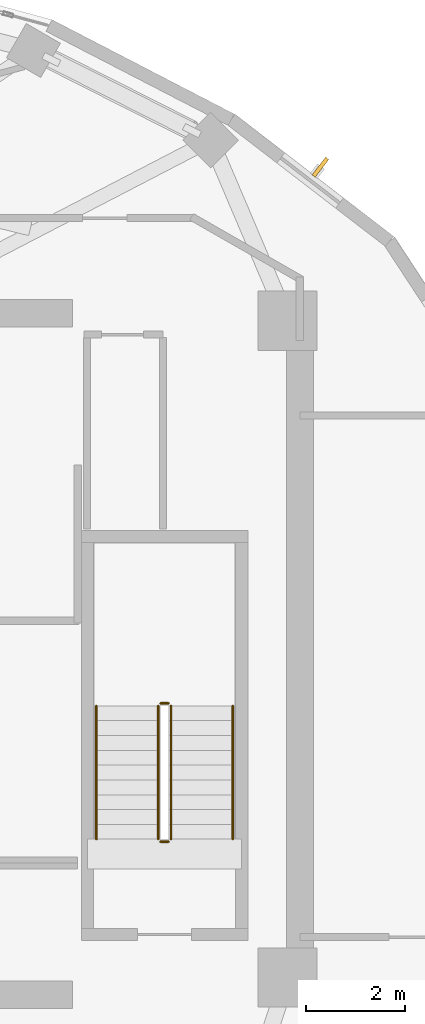
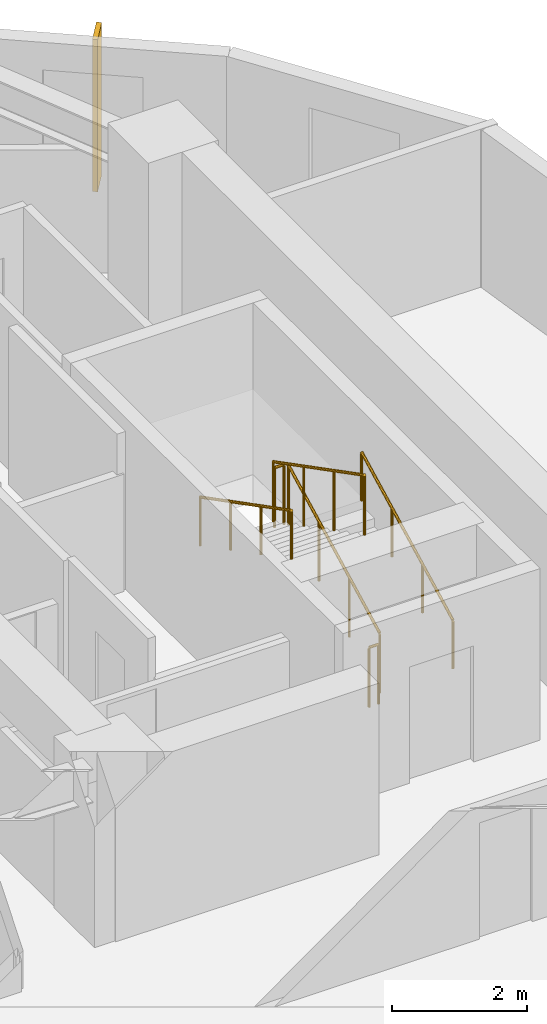
# One storey, part 19 of 19: 6 railings, 1 shading device.
"""IFC4 building model written with IfcOpenShell, lengths in metres."""

from ifc_helpers import new_model, si_unit, direction, frame, origin, origin_2d, place, context, subcontext, project, spatial, rectangle, circle, extrude, material, layer, layer_set, type_object, element, save


model = new_model("IFC4")

# Units and contexts
model_context = context("Model", 3, precision=1e-05, world=origin(), true_north=direction((0.0, 1.0)))
body_context = subcontext(model_context, "Body", "Model", "MODEL_VIEW")
ifc_project = project(units=[si_unit("LENGTHUNIT", "METRE"), si_unit("AREAUNIT", "SQUARE_METRE"), si_unit("VOLUMEUNIT", "CUBIC_METRE"), si_unit("PLANEANGLEUNIT", "RADIAN"), si_unit("MASSUNIT", "GRAM", prefix="KILO")], contexts=[model_context])

# Site, building, storey
site_placement = place(None, origin())
site = spatial("IfcSite", under=ifc_project, at=site_placement, CompositionType="ELEMENT")
building_placement = place(site_placement, origin())
building = spatial("IfcBuilding", under=site, at=building_placement, Name="Solvane Sanctuary Tower", CompositionType="ELEMENT")
storey_placement = place(building_placement, frame((0.0, 0.0, 201.60009765625)))
storey = spatial("IfcBuildingStorey", under=building, at=storey_placement, Name="L61", CompositionType="ELEMENT", Elevation=201.60009765625)

# Railings
ifc_material_1 = material(Name="Architectural Stainless Steel 316", Category="steel")
railing_type_1 = type_object("IfcRailingType", Name="Railing GR-BALC-1150", PredefinedType="BALUSTRADE", material=ifc_material_1)
railing_1_placement = place(storey_placement, frame((46.340087890625, 19.699951171875, 0.15478515625)))
element("IfcRailing", 1, at=railing_1_placement, inside=storey, type_object=railing_type_1, Name="L61 ST-2 stair guard 1", PredefinedType="BALUSTRADE", context=body_context, shape_type="SweptSolid", body=[
    extrude(circle(Radius=0.02392578125, at=origin_2d()), frame((0.0, 0.0, 1.076171875), z_axis=(0.0, 0.888419900624, 0.459031676658), x_axis=(-1.0, 0.0, 0.0)), (0.0, 0.0, 1.0), 3.0390625),
    extrude(circle(Radius=0.02099609375, at=origin_2d()), origin(), (0.0, 0.0, 1.0), 1.052001953125),
    extrude(circle(Radius=0.02099609375, at=origin_2d()), frame((0.0, 0.89990234375, 0.465087890625)), (0.0, 0.0, 1.0), 1.052001953125),
    extrude(circle(Radius=0.02099609375, at=origin_2d()), frame((0.0, 1.800048828125, 0.929931640625)), (0.0, 0.0, 1.0), 1.052001953125),
    extrude(circle(Radius=0.02099609375, at=origin_2d()), frame((0.0, 2.699951171875, 1.39501953125)), (0.0, 0.0, 1.0), 1.052001953125),
])
railing_2_placement = place(storey_placement, frame((46.2900390625, 22.449951171875, 1.5498046875)))
element("IfcRailing", 2, at=railing_2_placement, inside=storey, type_object=railing_type_1, Name="L61 ST-2 stair guard 2", PredefinedType="BALUSTRADE", context=body_context, shape_type="SweptSolid", body=[
    extrude(circle(Radius=0.02392578125, at=origin_2d()), frame((0.0, 0.0, 1.076171875), z_axis=(-1.0, 0.0, 0.0), x_axis=(0.0, -1.0, 0.0)), (0.0, 0.0, 1.0), 0.16015625),
    extrude(circle(Radius=0.02099609375, at=origin_2d()), origin(), (0.0, 0.0, 1.0), 1.052001953125),
    extrude(circle(Radius=0.02099609375, at=origin_2d()), frame((-0.16015625, 0.0, 0.0)), (0.0, 0.0, 1.0), 1.052001953125),
])
railing_3_placement = place(storey_placement, frame((46.080078125, 22.39990234375, 1.704833984375)))
element("IfcRailing", 3, at=railing_3_placement, inside=storey, type_object=railing_type_1, Name="L61 ST-2 stair guard 3", PredefinedType="BALUSTRADE", context=body_context, shape_type="SweptSolid", body=[
    extrude(circle(Radius=0.02392578125, at=origin_2d()), frame((0.0, 0.0, 1.076171875), z_axis=(0.0, -0.888419900624, 0.459031676658), x_axis=(1.0, 0.0, 0.0)), (0.0, 0.0, 1.0), 3.0390625),
    extrude(circle(Radius=0.02099609375, at=origin_2d()), origin(), (0.0, 0.0, 1.0), 1.052001953125),
    extrude(circle(Radius=0.02099609375, at=origin_2d()), frame((0.0, -0.89990234375, 0.465087890625)), (0.0, 0.0, 1.0), 1.052001953125),
    extrude(circle(Radius=0.02099609375, at=origin_2d()), frame((0.0, -1.800048828125, 0.929931640625)), (0.0, 0.0, 1.0), 1.052001953125),
    extrude(circle(Radius=0.02099609375, at=origin_2d()), frame((0.0, -2.699951171875, 1.39501953125)), (0.0, 0.0, 1.0), 1.052001953125),
])
railing_4_placement = place(storey_placement, frame((46.2900390625, 19.64990234375, 0.0)))
element("IfcRailing", 4, at=railing_4_placement, inside=storey, type_object=railing_type_1, Name="L61 ST-2 stair guard 4", PredefinedType="BALUSTRADE", context=body_context, shape_type="SweptSolid", body=[
    extrude(circle(Radius=0.02392578125, at=origin_2d()), frame((0.0, 0.0, 1.076171875), z_axis=(-1.0, 0.0, 0.0), x_axis=(0.0, -1.0, 0.0)), (0.0, 0.0, 1.0), 0.16015625),
    extrude(circle(Radius=0.02099609375, at=origin_2d()), origin(), (0.0, 0.0, 1.0), 1.052001953125),
    extrude(circle(Radius=0.02099609375, at=origin_2d()), frame((-0.16015625, 0.0, 0.0)), (0.0, 0.0, 1.0), 1.052001953125),
])
railing_type_2 = type_object("IfcRailingType", Name="Railing HR-STAIR-920", PredefinedType="HANDRAIL", material=ifc_material_1)
railing_5_placement = place(storey_placement, frame((47.590087890625, 19.699951171875, 0.15478515625)))
element("IfcRailing", 5, at=railing_5_placement, inside=storey, type_object=railing_type_2, Name="L61 ST-2 stair handrail 1", PredefinedType="HANDRAIL", context=body_context, shape_type="SweptSolid", body=[
    extrude(circle(Radius=0.02392578125, at=origin_2d()), frame((0.0, 0.0, 0.8759765625), z_axis=(0.0, 0.888419900624, 0.459031676658), x_axis=(-1.0, 0.0, 0.0)), (0.0, 0.0, 1.0), 3.0390625),
    extrude(circle(Radius=0.02099609375, at=origin_2d()), origin(), (0.0, 0.0, 1.0), 0.851806640625),
    extrude(circle(Radius=0.02099609375, at=origin_2d()), frame((0.0, 0.89990234375, 0.465087890625)), (0.0, 0.0, 1.0), 0.851806640625),
    extrude(circle(Radius=0.02099609375, at=origin_2d()), frame((0.0, 1.800048828125, 0.929931640625)), (0.0, 0.0, 1.0), 0.851806640625),
    extrude(circle(Radius=0.02099609375, at=origin_2d()), frame((0.0, 2.699951171875, 1.39501953125)), (0.0, 0.0, 1.0), 0.851806640625),
])
railing_6_placement = place(storey_placement, frame((44.830078125, 22.39990234375, 1.704833984375)))
element("IfcRailing", 6, at=railing_6_placement, inside=storey, type_object=railing_type_2, Name="L61 ST-2 stair handrail 2", PredefinedType="HANDRAIL", context=body_context, shape_type="SweptSolid", body=[
    extrude(circle(Radius=0.02392578125, at=origin_2d()), frame((0.0, 0.0, 0.8759765625), z_axis=(0.0, -0.888419900624, 0.459031676658), x_axis=(1.0, 0.0, 0.0)), (0.0, 0.0, 1.0), 3.0390625),
    extrude(circle(Radius=0.02099609375, at=origin_2d()), origin(), (0.0, 0.0, 1.0), 0.851806640625),
    extrude(circle(Radius=0.02099609375, at=origin_2d()), frame((0.0, -0.89990234375, 0.465087890625)), (0.0, 0.0, 1.0), 0.851806640625),
    extrude(circle(Radius=0.02099609375, at=origin_2d()), frame((0.0, -1.800048828125, 0.929931640625)), (0.0, 0.0, 1.0), 0.851806640625),
    extrude(circle(Radius=0.02099609375, at=origin_2d()), frame((0.0, -2.699951171875, 1.39501953125)), (0.0, 0.0, 1.0), 0.851806640625),
])

# Shading device
ifc_material_2 = material(Name="Anodised Aluminium 6063-T6", Category="aluminium")
ifc_layer = layer(ifc_material_2, 0.080078125, Name="Anodised Aluminium 6063-T6")
ifc_layer_set = layer_set([ifc_layer], Name="Anodised Aluminium 6063-T6")
shading_device_type = type_object("IfcShadingDeviceType", Name="Shading SHD-FIN", PredefinedType="USERDEFINED", material=ifc_layer_set)
shading_device_placement = place(storey_placement, frame((49.36669921875, 33.310302734375, 0.0498046875), z_axis=(0.0, 0.0, 1.0), x_axis=(-0.792707964296, 0.609601577542, 0.0)))
element("IfcShadingDevice", 7, at=shading_device_placement, inside=storey, type_object=shading_device_type, Name="L61 Aerodynamic Vertical Fin 02", ObjectType="FIN", PredefinedType="USERDEFINED", context=body_context, shape_type="SweptSolid", body=[
    extrude(rectangle(XDim=0.080078125, YDim=0.449951171875, at=origin_2d()), origin(), (0.0, 0.0, 1.0), 2.75),
])

save(model, "model.ifc")
